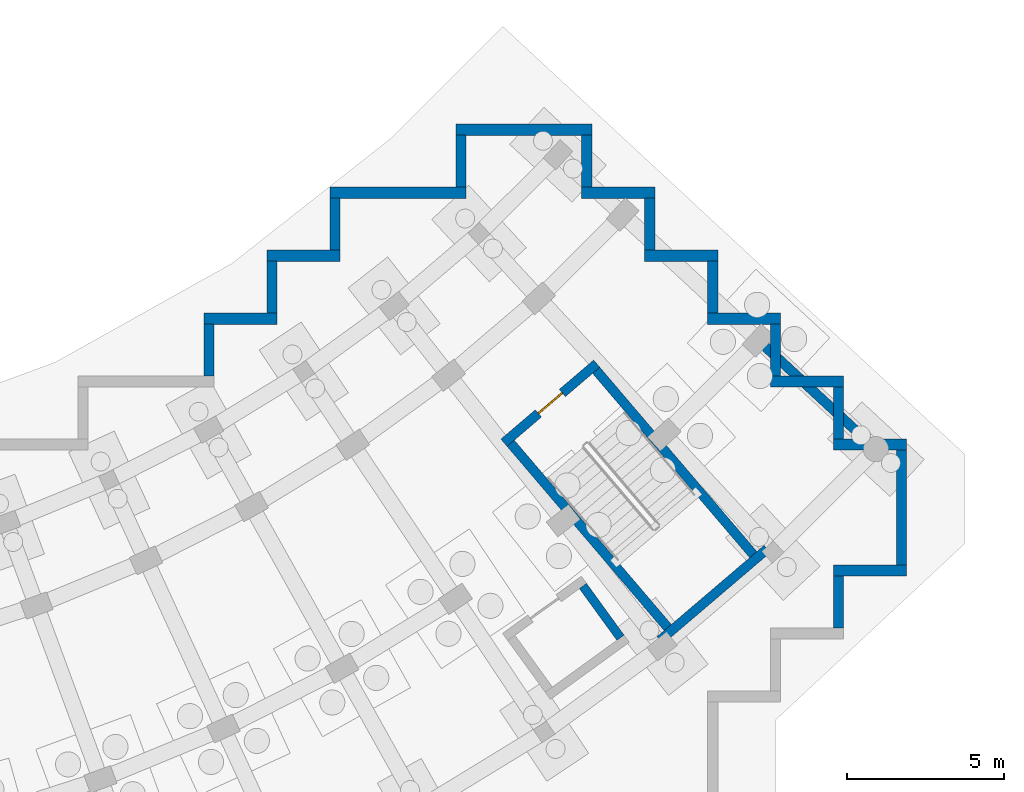
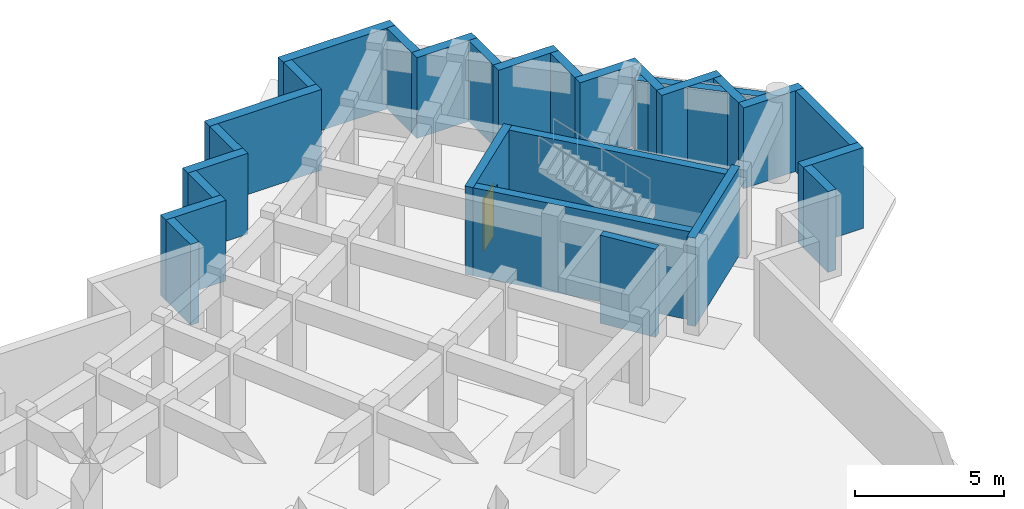
# One storey, part 23 of 32: 27 walls, 1 door, 1 opening.
"""IFC4 building model written with IfcOpenShell, lengths in metres."""

from ifc_helpers import new_model, si_unit, direction, frame, frame_2d, origin, place, context, subcontext, project, spatial, rectangle, extrude, material, layer, layer_set, type_object, element, fill, save


model = new_model("IFC4")

# Units and contexts
model_context = context("Model", 3, precision=1e-05, world=origin(), true_north=direction((0.0, 1.0)))
body_context = subcontext(model_context, "Body", "Model", "MODEL_VIEW")
ifc_project = project(units=[si_unit("LENGTHUNIT", "METRE"), si_unit("AREAUNIT", "SQUARE_METRE"), si_unit("VOLUMEUNIT", "CUBIC_METRE"), si_unit("PLANEANGLEUNIT", "RADIAN"), si_unit("MASSUNIT", "GRAM", prefix="KILO")], contexts=[model_context])

# Site, building, storey
site_placement = place(None, origin())
site = spatial("IfcSite", under=ifc_project, at=site_placement, CompositionType="ELEMENT")
building_placement = place(site_placement, origin())
building = spatial("IfcBuilding", under=site, at=building_placement, Name="Zimvara Arc Housing Community", CompositionType="ELEMENT")
storey_placement = place(building_placement, frame((0.0, 0.0, -3.60009765625)))
storey = spatial("IfcBuildingStorey", under=building, at=storey_placement, Name="B1", CompositionType="ELEMENT", Elevation=-3.60009765625)

# Wall
ifc_material_1 = material(Name="Concrete C40/50", Category="concrete")
ifc_layer_1 = layer(ifc_material_1, 0.280029296875)
ifc_layer_set_1 = layer_set([ifc_layer_1], Name="Concrete C40/50")
wall_type_1 = type_object("IfcWallType", Name="WL-CORE-280", PredefinedType="SHEAR", material=ifc_layer_set_1)
wall_1_placement = place(storey_placement, frame((159.87939453125, 65.509033203125, 0.0), z_axis=(0.0, 0.0, 1.0), x_axis=(0.58704837408, -0.809551855344, 0.0)))
element("IfcWall", 1, at=wall_1_placement, inside=storey, type_object=wall_type_1, Name="lwall:LP-D2:B1:right", PredefinedType="SHEAR", context=body_context, shape_type="SweptSolid", body=[
    extrude(rectangle(XDim=2.02978515625, YDim=0.280029296875, at=frame_2d((1.014892578125, 0.0))), origin(), (0.0, 0.0, 1.0), 3.60009765625),
])

# Wall, opening, door
ifc_material_2 = material(Name="Concrete C40/50", Category="concrete")
ifc_layer_2 = layer(ifc_material_2, 0.300048828125)
ifc_layer_set_2 = layer_set([ifc_layer_2], Name="Concrete C40/50")
wall_type_2 = type_object("IfcWallType", Name="WL-CORE-300", PredefinedType="SHEAR", material=ifc_layer_set_2)
wall_2_placement = place(storey_placement, frame((157.37158203125, 70.0576171875, 0.0), z_axis=(0.0, 0.0, 1.0), x_axis=(0.760990583254, 0.648762924495, 0.0)))
wall_2 = element("IfcWall", 2, at=wall_2_placement, inside=storey, type_object=wall_type_2, Name="cwall:ST-D2:B1:near", PredefinedType="SHEAR", context=body_context, shape_type="SweptSolid", body=[
    extrude(rectangle(XDim=3.8701171875, YDim=0.300048828125, at=frame_2d((1.93505859375, 0.0))), origin(), (0.0, 0.0, 1.0), 3.60009765625),
])
opening_placement = place(wall_2_placement, frame((1.43505859375, 0.0, 0.0)))
opening = element("IfcOpeningElement", 3, at=opening_placement, cuts=wall_2, Name="Opening FD-ST1", PredefinedType="OPENING", context=body_context, shape_type="SweptSolid", body=[
    extrude(rectangle(XDim=1.0, YDim=2.14990234375, at=frame_2d((0.5, 1.074951171875))), frame((0.0, 0.159912109375, 0.0), z_axis=(0.0, -1.0, 0.0), x_axis=(1.0, 0.0, 0.0)), (0.0, 0.0, 1.0), 0.320068359375),
])
ifc_material_3 = material(Name="Anodised Aluminium AW-6063", Category="aluminium")
door_type = type_object("IfcDoorType", Name="IDR-ST-1000x2150", OperationType="NOTDEFINED", PredefinedType="DOOR", material=ifc_material_3)
door_placement = place(opening_placement, origin())
door = element("IfcDoor", 4, at=door_placement, inside=storey, type_object=door_type, Name="idoor:ST-D2:B1:entry", OperationType="SINGLE_SWING_LEFT", OverallHeight=2.14990234375, OverallWidth=1.0, PredefinedType="DOOR", context=body_context, shape_type="SweptSolid", body=[
    extrude(rectangle(XDim=1.0, YDim=2.14990234375, at=frame_2d((0.5, 1.074951171875))), frame((0.0, 0.02490234375, 0.0), z_axis=(0.0, -1.0, 0.0), x_axis=(1.0, 0.0, 0.0)), (0.0, 0.0, 1.0), 0.050048828125),
])
fill(opening, door)

# Walls
wall_3_placement = place(storey_placement, frame((162.3271484375, 63.78271484375, 0.0), z_axis=(0.0, 0.0, 1.0), x_axis=(0.760969560012, 0.648787583678, 0.0)))
element("IfcWall", 5, at=wall_3_placement, inside=storey, type_object=wall_type_2, Name="cwall:ST-D2:B1:far", PredefinedType="SHEAR", context=body_context, shape_type="SweptSolid", body=[
    extrude(rectangle(XDim=4.47021484375, YDim=0.300048828125, at=frame_2d((2.235107421875, 0.0))), origin(), (0.0, 0.0, 1.0), 3.60009765625),
])
wall_4_placement = place(storey_placement, frame((157.583251953125, 70.040771484375, 0.0), z_axis=(0.0, 0.0, 1.0), x_axis=(0.648762810187, -0.760990680704, 0.0)))
element("IfcWall", 6, at=wall_4_placement, inside=storey, type_object=wall_type_2, Name="cwall:ST-D2:B1:left", PredefinedType="SHEAR", context=body_context, shape_type="SweptSolid", body=[
    extrude(rectangle(XDim=7.68994140625, YDim=0.300048828125, at=frame_2d((3.844970703125, 0.0))), origin(), (0.0, 0.0, 1.0), 3.60009765625),
])
wall_5_placement = place(storey_placement, frame((160.2998046875, 72.35693359375, 0.0), z_axis=(0.0, 0.0, 1.0), x_axis=(0.648781194888, -0.760975006922, 0.0)))
element("IfcWall", 7, at=wall_5_placement, inside=storey, type_object=wall_type_2, Name="cwall:ST-D2:B1:right", PredefinedType="SHEAR", context=body_context, shape_type="SweptSolid", body=[
    extrude(rectangle(XDim=7.690185546875, YDim=0.300048828125, at=frame_2d((3.84521484375, 0.0))), origin(), (0.0, 0.0, 1.0), 3.60009765625),
])
ifc_material_4 = material(Name="Concrete C35/45", Category="concrete")
ifc_layer_3 = layer(ifc_material_4, 0.320068359375)
ifc_layer_set_3 = layer_set([ifc_layer_3], Name="Concrete C35/45")
wall_type_3 = type_object("IfcWallType", Name="WL-RET-320", PredefinedType="USERDEFINED", material=ifc_layer_set_3)
wall_6_placement = place(storey_placement, frame((168.0, 64.175048828125, 0.0), z_axis=(0.0, 0.0, 1.0), x_axis=(0.0, 1.0, 0.0)))
element("IfcWall", 8, at=wall_6_placement, inside=storey, type_object=wall_type_3, Name="wall:B1:ret:6", ObjectType="RETAINING WALL", PredefinedType="USERDEFINED", context=body_context, shape_type="SweptSolid", body=[
    extrude(rectangle(XDim=1.64990234375, YDim=0.320068359375, at=frame_2d((0.824951171875, 0.0))), origin(), (0.0, 0.0, 1.0), 3.300048828125),
])
wall_7_placement = place(storey_placement, frame((170.0, 66.175048828125, 0.0), z_axis=(0.0, 0.0, 1.0), x_axis=(0.0, 1.0, 0.0)))
element("IfcWall", 9, at=wall_7_placement, inside=storey, type_object=wall_type_3, Name="wall:B1:ret:8", ObjectType="RETAINING WALL", PredefinedType="USERDEFINED", context=body_context, shape_type="SweptSolid", body=[
    extrude(rectangle(XDim=3.64990234375, YDim=0.320068359375, at=frame_2d((1.824951171875, 0.0))), origin(), (0.0, 0.0, 1.0), 3.300048828125),
])
for number, where, z_axis, x_axis, name in (
    (10, (168.0, 70.175048828125, 0.0), (0.0, 0.0, 1.0), (0.0, 1.0, 0.0), "wall:B1:ret:10"),
    (11, (166.0, 72.175048828125, 0.0), (0.0, 0.0, 1.0), (0.0, 1.0, 0.0), "wall:B1:ret:12"),
    (12, (164.0, 74.175048828125, 0.0), (0.0, 0.0, 1.0), (0.0, 1.0, 0.0), "wall:B1:ret:14"),
    (13, (162.0, 76.175048828125, 0.0), (0.0, 0.0, 1.0), (0.0, 1.0, 0.0), "wall:B1:ret:16"),
    (14, (160.0, 78.175048828125, 0.0), (0.0, 0.0, 1.0), (0.0, 1.0, 0.0), "wall:B1:ret:18"),
    (15, (156.0, 79.824951171875, 0.0), (0.0, 0.0, 1.0), (0.0, -1.0, 0.0), "wall:B1:ret:20"),
    (16, (152.0, 77.824951171875, 0.0), (0.0, 0.0, 1.0), (0.0, -1.0, 0.0), "wall:B1:ret:22"),
    (17, (150.0, 75.824951171875, 0.0), (0.0, 0.0, 1.0), (0.0, -1.0, 0.0), "wall:B1:ret:24"),
    (18, (148.0, 73.824951171875, 0.0), (0.0, 0.0, 1.0), (0.0, -1.0, 0.0), "wall:B1:ret:26"),
):
    element("IfcWall", number, at=place(storey_placement, frame(where, z_axis=z_axis, x_axis=x_axis)), inside=storey, type_object=wall_type_3, Name=name, ObjectType="RETAINING WALL", PredefinedType="USERDEFINED", context=body_context, shape_type="SweptSolid", body=[
        extrude(rectangle(XDim=1.64990234375, YDim=0.320068359375, at=frame_2d((0.824951171875, 0.0))), origin(), (0.0, 0.0, 1.0), 3.300048828125),
    ])
ifc_material_5 = material(Name="Concrete C35/45", Category="concrete")
ifc_layer_4 = layer(ifc_material_5, 0.360107421875)
ifc_layer_set_4 = layer_set([ifc_layer_4], Name="Concrete C35/45")
wall_type_4 = type_object("IfcWallType", Name="WL-RET-360", PredefinedType="USERDEFINED", material=ifc_layer_set_4)
for number, where, z_axis, x_axis, name in (
    (19, (167.840087890625, 66.0, 0.0), (0.0, 0.0, 1.0), (1.0, 0.0, 0.0), "wall:B1:ret:7"),
    (20, (170.159912109375, 70.0, 0.0), (0.0, 0.0, 1.0), (-1.0, 0.0, 0.0), "wall:B1:ret:9"),
    (21, (168.159912109375, 72.0, 0.0), (0.0, 0.0, 1.0), (-1.0, 0.0, 0.0), "wall:B1:ret:11"),
    (22, (166.159912109375, 74.0, 0.0), (0.0, 0.0, 1.0), (-1.0, 0.0, 0.0), "wall:B1:ret:13"),
    (23, (164.159912109375, 76.0, 0.0), (0.0, 0.0, 1.0), (-1.0, 0.0, 0.0), "wall:B1:ret:15"),
    (24, (162.159912109375, 78.0, 0.0), (0.0, 0.0, 1.0), (-1.0, 0.0, 0.0), "wall:B1:ret:17"),
):
    element("IfcWall", number, at=place(storey_placement, frame(where, z_axis=z_axis, x_axis=x_axis)), inside=storey, type_object=wall_type_4, Name=name, ObjectType="RETAINING WALL", PredefinedType="USERDEFINED", context=body_context, shape_type="SweptSolid", body=[
        extrude(rectangle(XDim=2.31982421875, YDim=0.360107421875, at=frame_2d((1.159912109375, 0.0))), origin(), (0.0, 0.0, 1.0), 3.300048828125),
    ])
for number, where, z_axis, x_axis, name in (
    (25, (160.159912109375, 80.0, 0.0), (0.0, 0.0, 1.0), (-1.0, 0.0, 0.0), "wall:B1:ret:19"),
    (26, (156.159912109375, 78.0, 0.0), (0.0, 0.0, 1.0), (-1.0, 0.0, 0.0), "wall:B1:ret:21"),
):
    element("IfcWall", number, at=place(storey_placement, frame(where, z_axis=z_axis, x_axis=x_axis)), inside=storey, type_object=wall_type_4, Name=name, ObjectType="RETAINING WALL", PredefinedType="USERDEFINED", context=body_context, shape_type="SweptSolid", body=[
        extrude(rectangle(XDim=4.31982421875, YDim=0.360107421875, at=frame_2d((2.159912109375, 0.0))), origin(), (0.0, 0.0, 1.0), 3.300048828125),
    ])
for number, where, z_axis, x_axis, name in (
    (27, (152.159912109375, 76.0, 0.0), (0.0, 0.0, 1.0), (-1.0, 0.0, 0.0), "wall:B1:ret:23"),
    (28, (150.159912109375, 74.0, 0.0), (0.0, 0.0, 1.0), (-1.0, 0.0, 0.0), "wall:B1:ret:25"),
):
    element("IfcWall", number, at=place(storey_placement, frame(where, z_axis=z_axis, x_axis=x_axis)), inside=storey, type_object=wall_type_4, Name=name, ObjectType="RETAINING WALL", PredefinedType="USERDEFINED", context=body_context, shape_type="SweptSolid", body=[
        extrude(rectangle(XDim=2.31982421875, YDim=0.360107421875, at=frame_2d((1.159912109375, 0.0))), origin(), (0.0, 0.0, 1.0), 3.300048828125),
    ])
ifc_material_6 = material(Name="Concrete C40/50", Category="concrete")
ifc_layer_5 = layer(ifc_material_6, 0.31005859375)
ifc_layer_set_5 = layer_set([ifc_layer_5], Name="Concrete C40/50")
wall_type_5 = type_object("IfcWallType", Name="WL-SHEAR-310", PredefinedType="SHEAR", material=ifc_layer_set_5)
wall_8_placement = place(storey_placement, frame((165.586669921875, 73.183837890625, 0.0), z_axis=(0.0, 0.0, 1.0), x_axis=(0.733739663667, -0.679430721974, 0.0)))
element("IfcWall", 29, at=wall_8_placement, inside=storey, type_object=wall_type_5, Name="swall:blkD:B1:east", PredefinedType="SHEAR", context=body_context, shape_type="SweptSolid", body=[
    extrude(rectangle(XDim=4.72021484375, YDim=0.31005859375, at=frame_2d((2.360107421875, 0.0))), origin(), (0.0, 0.0, 1.0), 3.300048828125),
])

save(model, "model.ifc")
